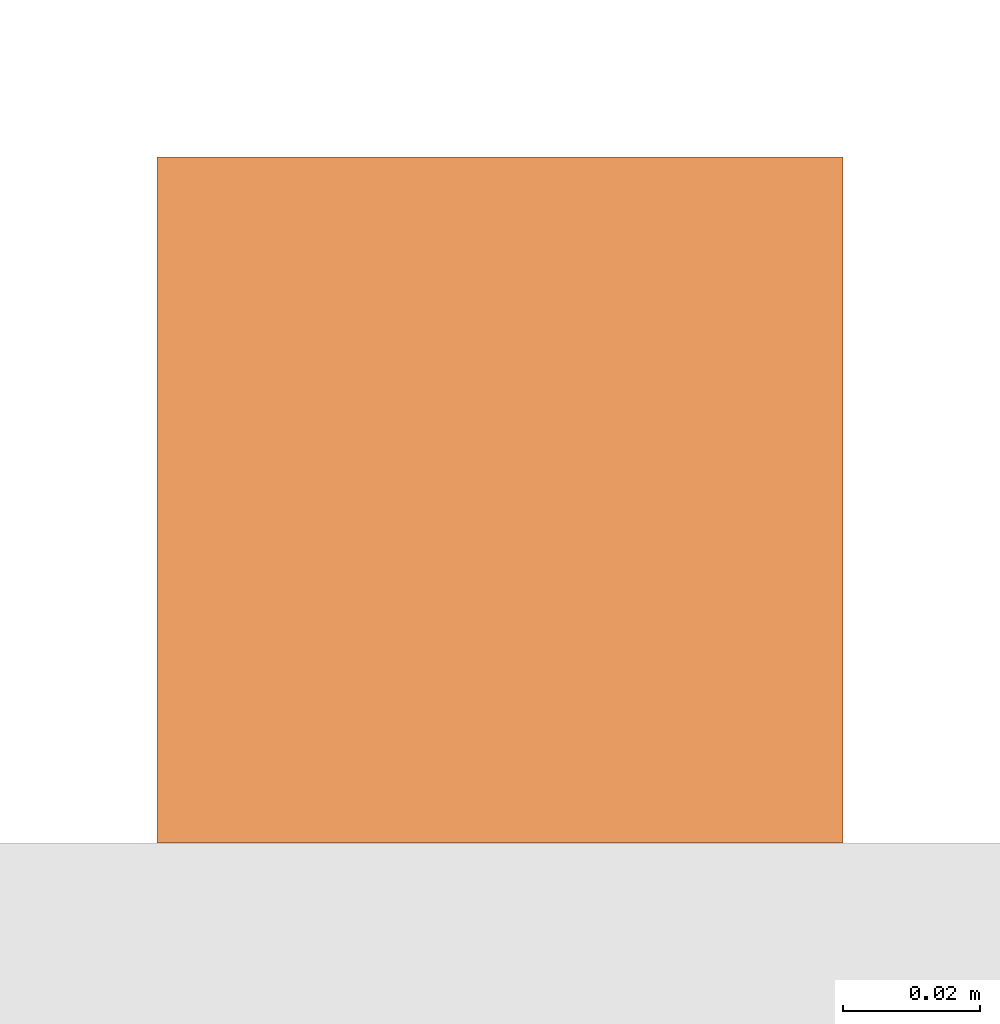
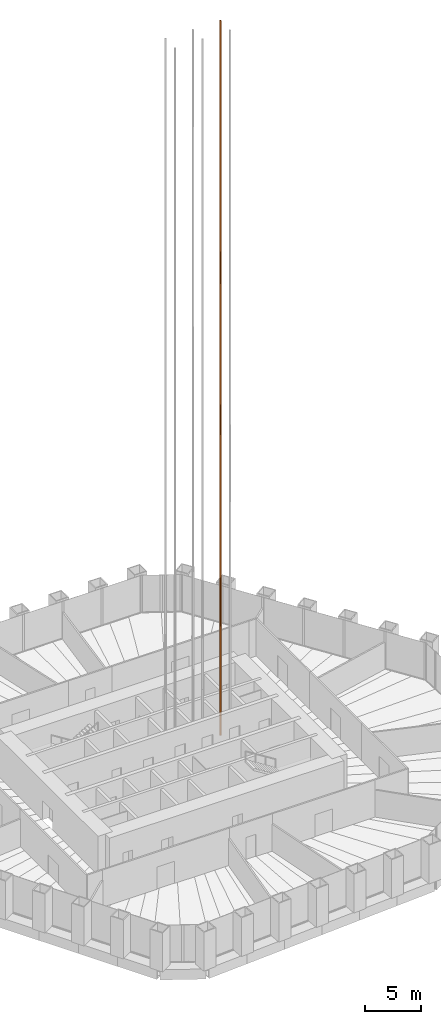
# One storey, part 20 of 20: 1 proxy.
"""IFC4 building model written with IfcOpenShell, lengths in metres."""

from ifc_helpers import new_model, si_unit, direction, frame, origin, origin_2d, place, context, subcontext, project, spatial, rectangle, extrude, material, type_object, element, save


model = new_model("IFC4")

# Units and contexts
model_context = context("Model", 3, precision=1e-05, world=origin(), true_north=direction((0.0, 1.0)))
body_context = subcontext(model_context, "Body", "Model", "MODEL_VIEW")
ifc_project = project(units=[si_unit("LENGTHUNIT", "METRE"), si_unit("AREAUNIT", "SQUARE_METRE"), si_unit("VOLUMEUNIT", "CUBIC_METRE"), si_unit("PLANEANGLEUNIT", "RADIAN"), si_unit("MASSUNIT", "GRAM", prefix="KILO")], contexts=[model_context])

# Site, building, storey
site_placement = place(None, origin())
site = spatial("IfcSite", under=ifc_project, at=site_placement, CompositionType="ELEMENT")
building_placement = place(site_placement, origin())
building = spatial("IfcBuilding", under=site, at=building_placement, Name="Qingtian Harvest Tower", CompositionType="ELEMENT")
storey_placement = place(building_placement, frame((0.0, 0.0, 103.0)))
storey = spatial("IfcBuildingStorey", under=building, at=storey_placement, Name="L20", CompositionType="ELEMENT", Elevation=103.0)

# Proxy
ifc_material = material(Name="Steel SN490B", Category="steel")
building_element_proxy_type = type_object("IfcBuildingElementProxyType", Name="Lift guide rail LR1", PredefinedType="NOTDEFINED", material=ifc_material)
proxy_placement = place(storey_placement, frame((7.5, 4.375, 0.0), z_axis=(0.0, 0.0, 1.0), x_axis=(1.0, 0.0, 0.0)))
element("IfcBuildingElementProxy", 1, at=proxy_placement, inside=storey, type_object=building_element_proxy_type, Name="Lift PLB3 guide rail 2", PredefinedType="NOTDEFINED", context=body_context, shape_type="SweptSolid", body=[
    extrude(rectangle(XDim=0.10009765625, YDim=0.10009765625, at=origin_2d()), origin(), (0.0, 0.0, 1.0), 77.39990234375),
])

save(model, "model.ifc")
